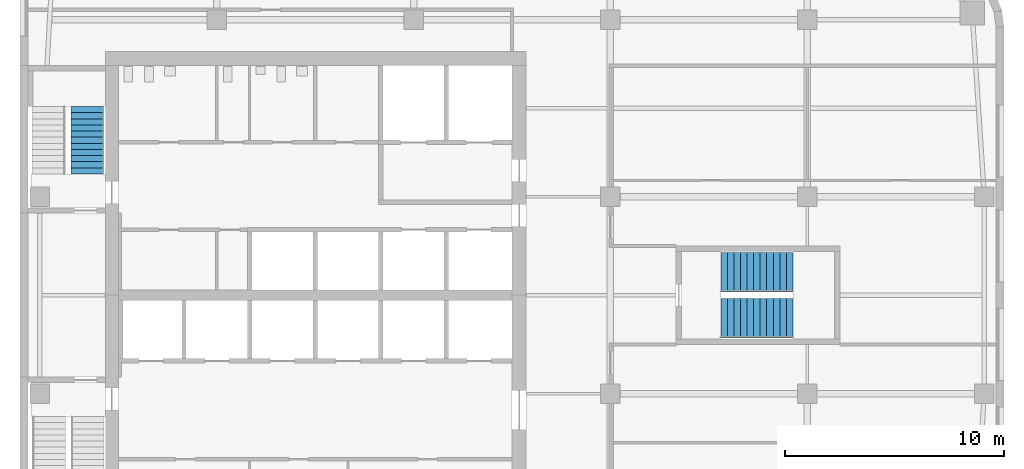
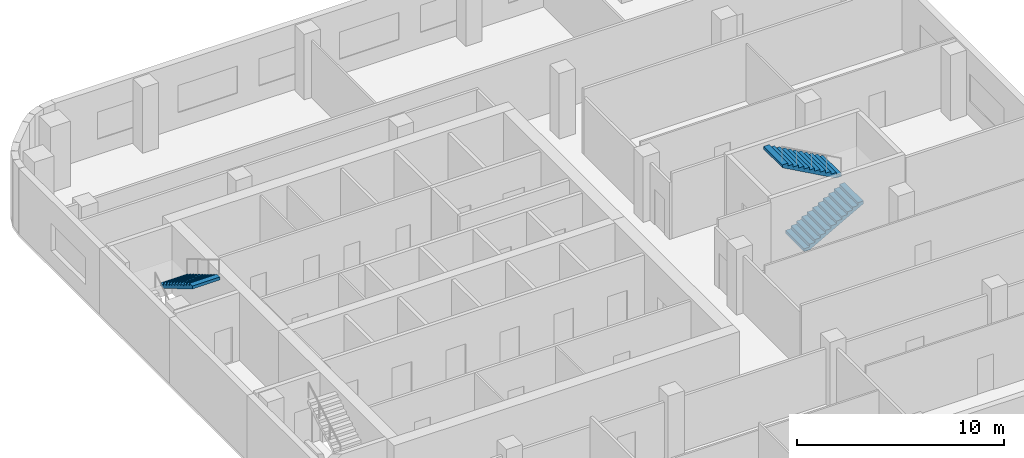
# One storey, part 6 of 8: 3 stair flights, 2 elements without a shape of their own.
"""IFC4 building model written with IfcOpenShell, lengths in metres."""

from ifc_helpers import new_model, si_unit, direction, frame, origin, place, context, subcontext, project, spatial, polyline, outline, extrude, material, type_object, element, aggregate, save


model = new_model("IFC4")

# Units and contexts
model_context = context("Model", 3, precision=1e-05, world=origin(), true_north=direction((0.0, 1.0)))
body_context = subcontext(model_context, "Body", "Model", "MODEL_VIEW")
ifc_project = project(units=[si_unit("LENGTHUNIT", "METRE"), si_unit("AREAUNIT", "SQUARE_METRE"), si_unit("VOLUMEUNIT", "CUBIC_METRE"), si_unit("PLANEANGLEUNIT", "RADIAN"), si_unit("MASSUNIT", "GRAM", prefix="KILO")], contexts=[model_context])

# Site, building, storey
site_placement = place(None, origin())
site = spatial("IfcSite", under=ifc_project, at=site_placement, CompositionType="ELEMENT")
building_placement = place(site_placement, origin())
building = spatial("IfcBuilding", under=site, at=building_placement, Name="Cinnabar Reach Civic Tower", CompositionType="ELEMENT")
storey_placement = place(building_placement, frame((0.0, 0.0, 177.0)))
storey = spatial("IfcBuildingStorey", under=building, at=storey_placement, Name="L42", CompositionType="ELEMENT", Elevation=177.0)

# Stair, stair flight
ifc_material = material(Name="Concrete C40/50", Category="concrete")
stair_type = type_object("IfcStairType", Name="T1 Exit stair, half-turn", PredefinedType="HALF_TURN_STAIR", material=ifc_material)
stair_1_placement = place(storey_placement, origin())
stair_1 = element("IfcStair", 1, at=stair_1_placement, inside=storey, type_object=stair_type, Name="Stair T1-S2", PredefinedType="HALF_TURN_STAIR")
stair_flight_type = type_object("IfcStairFlightType", Name="T1 Stair flight, concrete", PredefinedType="STRAIGHT", material=ifc_material)
stair_flight_1_placement = place(storey_placement, frame((3.0875, 40.13, 2.0), z_axis=(0.0, 0.0, 1.0), x_axis=(0.0, -1.0, 0.0)))
stair_flight_1 = element("IfcStairFlight", 2, at=stair_flight_1_placement, type_object=stair_flight_type, Name="T1-S2 flight 2", NumberOfRisers=12, NumberOfTreads=11, PredefinedType="STRAIGHT", RiserHeight=0.166666667, TreadLength=0.28, context=body_context, shape_type="SweptSolid", body=[
    extrude(outline(polyline([(0.0, 0.0), (0.0, 0.1667), (0.28, 0.1667), (0.28, 0.3333), (0.56, 0.3333), (0.56, 0.5), (0.84, 0.5), (0.84, 0.6667), (1.12, 0.6667), (1.12, 0.8333), (1.4, 0.8333), (1.4, 1.0), (1.68, 1.0), (1.68, 1.1667), (1.96, 1.1667), (1.96, 1.3333), (2.24, 1.3333), (2.24, 1.5), (2.52, 1.5), (2.52, 1.6667), (2.8, 1.6667), (2.8, 1.8333), (3.08, 1.8333), (3.08, 2.0), (3.08, 1.6588), (0.2933, 0.0), (0.0, 0.0)])), frame((0.0, 0.7625, 0.0), z_axis=(0.0, -1.0, 0.0), x_axis=(1.0, 0.0, 0.0)), (0.0, 0.0, 1.0), 1.525),
])
aggregate(stair_1, [stair_flight_1])

# Stair, stair flights
stair_2_placement = place(storey_placement, origin())
stair_2 = element("IfcStair", 3, at=stair_2_placement, inside=storey, type_object=stair_type, Name="Stair T1-S3", PredefinedType="HALF_TURN_STAIR")
stair_flight_2_placement = place(storey_placement, frame((32.05, 30.45, 0.0), z_axis=(0.0, 0.0, 1.0), x_axis=(1.0, 0.0, 0.0)))
stair_flight_2 = element("IfcStairFlight", 4, at=stair_flight_2_placement, type_object=stair_flight_type, Name="T1-S3 flight 1", NumberOfRisers=12, NumberOfTreads=11, PredefinedType="STRAIGHT", RiserHeight=0.166666667, TreadLength=0.3, context=body_context, shape_type="SweptSolid", body=[
    extrude(outline(polyline([(0.0, 0.0), (0.0, 0.1667), (0.3, 0.1667), (0.3, 0.3333), (0.6, 0.3333), (0.6, 0.5), (0.9, 0.5), (0.9, 0.6667), (1.2, 0.6667), (1.2, 0.8333), (1.5, 0.8333), (1.5, 1.0), (1.8, 1.0), (1.8, 1.1667), (2.1, 1.1667), (2.1, 1.3333), (2.4, 1.3333), (2.4, 1.5), (2.7, 1.5), (2.7, 1.6667), (3.0, 1.6667), (3.0, 1.8333), (3.3, 1.8333), (3.3, 2.0), (3.3, 1.6617), (0.3089, 0.0), (0.0, 0.0)])), frame((0.0, 0.9, 0.0), z_axis=(0.0, -1.0, 0.0), x_axis=(1.0, 0.0, 0.0)), (0.0, 0.0, 1.0), 1.8),
])
stair_flight_3_placement = place(storey_placement, frame((35.35, 32.55, 2.0), z_axis=(0.0, 0.0, 1.0), x_axis=(-1.0, 0.0, 0.0)))
stair_flight_3 = element("IfcStairFlight", 5, at=stair_flight_3_placement, type_object=stair_flight_type, Name="T1-S3 flight 2", NumberOfRisers=12, NumberOfTreads=11, PredefinedType="STRAIGHT", RiserHeight=0.166666667, TreadLength=0.3, context=body_context, shape_type="SweptSolid", body=[
    extrude(outline(polyline([(0.0, 0.0), (0.0, 0.1667), (0.3, 0.1667), (0.3, 0.3333), (0.6, 0.3333), (0.6, 0.5), (0.9, 0.5), (0.9, 0.6667), (1.2, 0.6667), (1.2, 0.8333), (1.5, 0.8333), (1.5, 1.0), (1.8, 1.0), (1.8, 1.1667), (2.1, 1.1667), (2.1, 1.3333), (2.4, 1.3333), (2.4, 1.5), (2.7, 1.5), (2.7, 1.6667), (3.0, 1.6667), (3.0, 1.8333), (3.3, 1.8333), (3.3, 2.0), (3.3, 1.6617), (0.3089, 0.0), (0.0, 0.0)])), frame((0.0, 0.9, 0.0), z_axis=(0.0, -1.0, 0.0), x_axis=(1.0, 0.0, 0.0)), (0.0, 0.0, 1.0), 1.8),
])
aggregate(stair_2, [stair_flight_2, stair_flight_3])

save(model, "model.ifc")
